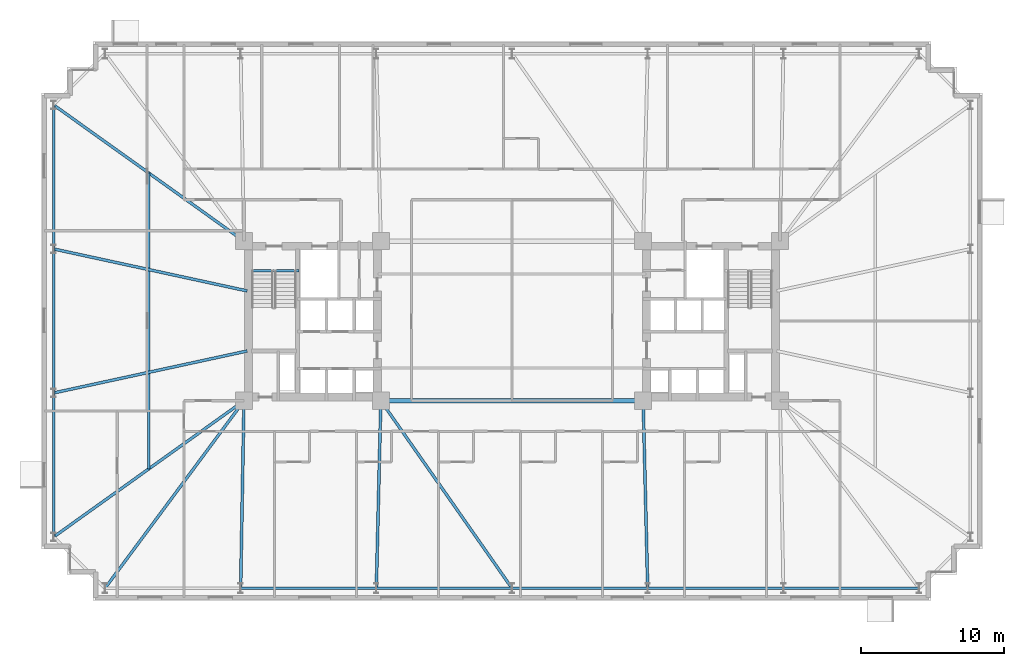
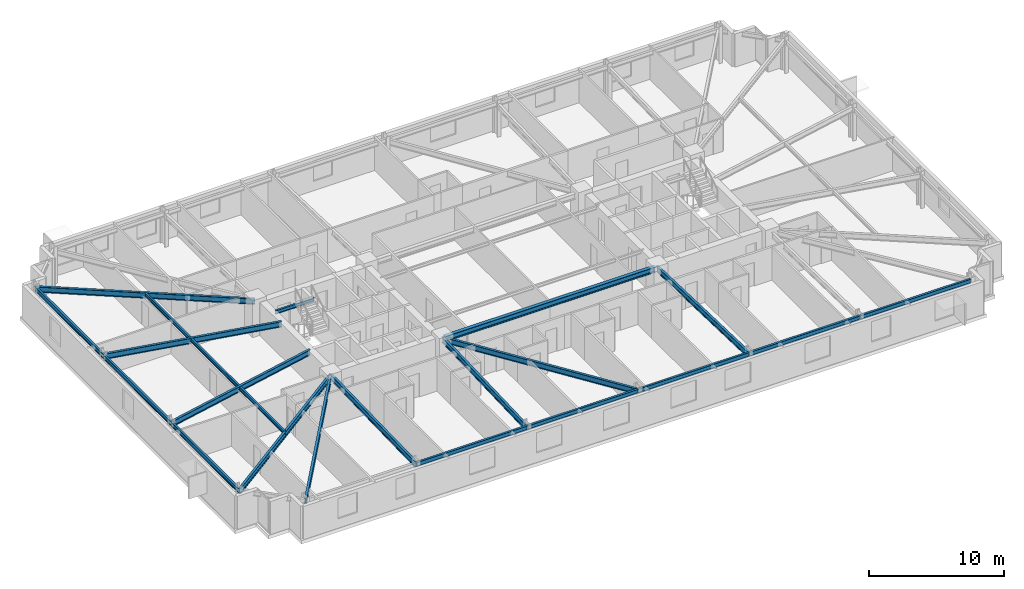
# One storey, part 5 of 20: 20 beams.
"""IFC4 building model written with IfcOpenShell, lengths in metres."""

from ifc_helpers import new_model, si_unit, direction, frame, origin, origin_2d, place, context, subcontext, project, spatial, i_section, extrude, material, material_profile, profile_set, type_object, element, save


model = new_model("IFC4")

# Units and contexts
model_context = context("Model", 3, precision=1e-05, world=origin(), true_north=direction((0.0, 1.0)))
body_context = subcontext(model_context, "Body", "Model", "MODEL_VIEW")
ifc_project = project(units=[si_unit("LENGTHUNIT", "METRE"), si_unit("AREAUNIT", "SQUARE_METRE"), si_unit("VOLUMEUNIT", "CUBIC_METRE"), si_unit("PLANEANGLEUNIT", "RADIAN"), si_unit("MASSUNIT", "GRAM", prefix="KILO")], contexts=[model_context])

# Site, building, storey
site_placement = place(None, origin())
site = spatial("IfcSite", under=ifc_project, at=site_placement, CompositionType="ELEMENT")
building_placement = place(site_placement, origin())
building = spatial("IfcBuilding", under=site, at=building_placement, Name="Qobustan Lattice House", CompositionType="ELEMENT")
storey_placement = place(building_placement, frame((0.0, 0.0, 70.550048828125)))
storey = spatial("IfcBuildingStorey", under=building, at=storey_placement, Name="L19", CompositionType="ELEMENT", Elevation=70.550048828125)

# Beams
ifc_material_1 = material(Name="Steel S355", Category="steel")
ifc_material_profile_1 = material_profile(ifc_material_1, i_section(OverallWidth=0.300048828125, OverallDepth=0.5, WebThickness=0.014404296875, FlangeThickness=0.028076171875, FilletRadius=0.027099609375, at=origin_2d()), Name="HEB500")
ifc_profile_set_1 = profile_set([ifc_material_profile_1], Name="Steel S355")
beam_type_1 = type_object("IfcBeamType", Name="BM-CG-HEB500", PredefinedType="USERDEFINED", material=ifc_profile_set_1)
beam_1_placement = place(storey_placement, frame((-9.050048828125, -5.60009765625, 2.75), z_axis=(1.0, 0.0, 0.0), x_axis=(0.0, 1.0, 0.0)))
element("IfcBeam", 1, at=beam_1_placement, inside=storey, type_object=beam_type_1, Name="L19 core spine girder CG-CS", ObjectType="GIRDER", PredefinedType="USERDEFINED", context=body_context, shape_type="SweptSolid", body=[
    extrude(i_section(OverallWidth=0.300048828125, OverallDepth=0.5, WebThickness=0.014404296875, FlangeThickness=0.028076171875, FilletRadius=0.027099609375, at=origin_2d()), origin(), (0.0, 0.0, 1.0), 18.10009765625),
])
ifc_material_2 = material(Name="Steel S355", Category="steel")
ifc_material_profile_2 = material_profile(ifc_material_2, i_section(OverallWidth=0.199951171875, OverallDepth=0.5, WebThickness=0.01025390625, FlangeThickness=0.01611328125, FilletRadius=0.02099609375, at=origin_2d()), Name="IPE500")
ifc_profile_set_2 = profile_set([ifc_material_profile_2], Name="Steel S355")
beam_type_2 = type_object("IfcBeamType", Name="BM-FLG-IPE500", PredefinedType="USERDEFINED", material=ifc_profile_set_2)
beam_2_placement = place(storey_placement, frame((-28.53515625, -18.72998046875, 2.75), z_axis=(0.5955916815, 0.803287338956, 0.0), x_axis=(-0.803287338956, 0.5955916815, 0.0)))
element("IfcBeam", 2, at=beam_2_placement, inside=storey, type_object=beam_type_2, Name="L19 primary floor girder RAD-S1W", ObjectType="GIRDER", PredefinedType="USERDEFINED", context=body_context, shape_type="SweptSolid", body=[
    extrude(i_section(OverallWidth=0.199951171875, OverallDepth=0.5, WebThickness=0.01025390625, FlangeThickness=0.01611328125, FilletRadius=0.02099609375, at=origin_2d()), origin(), (0.0, 0.0, 1.0), 16.3203125),
])
beam_3_placement = place(storey_placement, frame((-19.032958984375, -18.72509765625, 2.75), z_axis=(0.017757831607, 0.999842317276, 0.0), x_axis=(-0.999842317276, 0.017757831607, 0.0)))
element("IfcBeam", 3, at=beam_3_placement, inside=storey, type_object=beam_type_2, Name="L19 primary floor girder RAD-S2", ObjectType="GIRDER", PredefinedType="USERDEFINED", context=body_context, shape_type="SweptSolid", body=[
    extrude(i_section(OverallWidth=0.199951171875, OverallDepth=0.5, WebThickness=0.01025390625, FlangeThickness=0.01611328125, FilletRadius=0.02099609375, at=origin_2d()), origin(), (0.0, 0.0, 1.0), 13.10205078125),
])
beam_4_placement = place(storey_placement, frame((-9.51611328125, -18.72509765625, 2.75), z_axis=(0.024071445657, 0.999710240772, 0.0), x_axis=(-0.999710240772, 0.024071445657, 0.0)))
element("IfcBeam", 4, at=beam_4_placement, inside=storey, type_object=beam_type_2, Name="L19 primary floor girder RAD-S3", ObjectType="GIRDER", PredefinedType="USERDEFINED", context=body_context, shape_type="SweptSolid", body=[
    extrude(i_section(OverallWidth=0.199951171875, OverallDepth=0.5, WebThickness=0.01025390625, FlangeThickness=0.01611328125, FilletRadius=0.02099609375, at=origin_2d()), origin(), (0.0, 0.0, 1.0), 13.10400390625),
])
beam_5_placement = place(storey_placement, frame((-0.014404296875, -18.7294921875, 2.75), z_axis=(-0.57325954206, 0.819373844736, 0.0), x_axis=(-0.819373844736, -0.57325954206, 0.0)))
element("IfcBeam", 5, at=beam_5_placement, inside=storey, type_object=beam_type_2, Name="L19 primary floor girder RAD-S4", ObjectType="GIRDER", PredefinedType="USERDEFINED", context=body_context, shape_type="SweptSolid", body=[
    extrude(i_section(OverallWidth=0.199951171875, OverallDepth=0.5, WebThickness=0.01025390625, FlangeThickness=0.01611328125, FilletRadius=0.02099609375, at=origin_2d()), origin(), (0.0, 0.0, 1.0), 15.998779296875),
])
beam_6_placement = place(storey_placement, frame((9.51611328125, -18.72509765625, 2.75), z_axis=(-0.024071445657, 0.999710240772, 0.0), x_axis=(-0.999710240772, -0.024071445657, 0.0)))
element("IfcBeam", 6, at=beam_6_placement, inside=storey, type_object=beam_type_2, Name="L19 primary floor girder RAD-S5", ObjectType="GIRDER", PredefinedType="USERDEFINED", context=body_context, shape_type="SweptSolid", body=[
    extrude(i_section(OverallWidth=0.199951171875, OverallDepth=0.5, WebThickness=0.01025390625, FlangeThickness=0.01611328125, FilletRadius=0.02099609375, at=origin_2d()), origin(), (0.0, 0.0, 1.0), 13.10400390625),
])
beam_7_placement = place(storey_placement, frame((-32.129638671875, 15.135498046875, 2.75), z_axis=(0.813318954893, -0.581818079481, 0.0), x_axis=(0.581818079481, 0.813318954893, 0.0)))
element("IfcBeam", 7, at=beam_7_placement, inside=storey, type_object=beam_type_2, Name="L19 primary floor girder RAD-W1", ObjectType="GIRDER", PredefinedType="USERDEFINED", context=body_context, shape_type="SweptSolid", body=[
    extrude(i_section(OverallWidth=0.199951171875, OverallDepth=0.5, WebThickness=0.01025390625, FlangeThickness=0.01611328125, FilletRadius=0.02099609375, at=origin_2d()), origin(), (0.0, 0.0, 1.0), 16.3642578125),
])
for number, where, z_axis, x_axis, name in (
    (8, (-32.12548828125, 5.044677734375, 2.75), (0.97727240275, -0.211987383643, 0.0), (0.211987383643, 0.97727240275, 0.0), "L19 primary floor girder RAD-W2"),
    (9, (-32.12548828125, -5.044677734375, 2.75), (0.97727240275, 0.211987383643, 0.0), (-0.211987383643, 0.97727240275, 0.0), "L19 primary floor girder RAD-W3"),
):
    element("IfcBeam", number, at=place(storey_placement, frame(where, z_axis=z_axis, x_axis=x_axis)), inside=storey, type_object=beam_type_2, Name=name, ObjectType="GIRDER", PredefinedType="USERDEFINED", context=body_context, shape_type="SweptSolid", body=[
        extrude(i_section(OverallWidth=0.199951171875, OverallDepth=0.5, WebThickness=0.01025390625, FlangeThickness=0.01611328125, FilletRadius=0.02099609375, at=origin_2d()), origin(), (0.0, 0.0, 1.0), 13.8662109375),
    ])
beam_8_placement = place(storey_placement, frame((-32.129638671875, -15.135498046875, 2.75), z_axis=(0.813318954893, 0.581818079481, 0.0), x_axis=(-0.581818079481, 0.813318954893, 0.0)))
element("IfcBeam", 10, at=beam_8_placement, inside=storey, type_object=beam_type_2, Name="L19 primary floor girder RAD-W4", ObjectType="GIRDER", PredefinedType="USERDEFINED", context=body_context, shape_type="SweptSolid", body=[
    extrude(i_section(OverallWidth=0.199951171875, OverallDepth=0.5, WebThickness=0.01025390625, FlangeThickness=0.01611328125, FilletRadius=0.02099609375, at=origin_2d()), origin(), (0.0, 0.0, 1.0), 16.3642578125),
])
ifc_material_3 = material(Name="Steel S355", Category="steel")
ifc_material_profile_3 = material_profile(ifc_material_3, i_section(OverallWidth=0.159912109375, OverallDepth=0.330078125, WebThickness=0.007568359375, FlangeThickness=0.011474609375, FilletRadius=0.01806640625, at=origin_2d()), Name="IPE330")
ifc_profile_set_3 = profile_set([ifc_material_profile_3], Name="Steel S355")
beam_type_3 = type_object("IfcBeamType", Name="BM-SEC-IPE330", PredefinedType="BEAM", material=ifc_profile_set_3)
beam_9_placement = place(storey_placement, frame((-25.47509765625, 10.375, 2.8349609375), z_axis=(0.0, -1.0, 0.0), x_axis=(1.0, 0.0, 0.0)))
element("IfcBeam", 11, at=beam_9_placement, inside=storey, type_object=beam_type_3, Name="L19 west wing secondary beam", PredefinedType="BEAM", context=body_context, shape_type="SweptSolid", body=[
    extrude(i_section(OverallWidth=0.159912109375, OverallDepth=0.330078125, WebThickness=0.007568359375, FlangeThickness=0.011474609375, FilletRadius=0.01806640625, at=origin_2d()), origin(), (0.0, 0.0, 1.0), 20.75),
])
ifc_material_4 = material(Name="Steel S355", Category="steel")
ifc_material_profile_4 = material_profile(ifc_material_4, i_section(OverallWidth=0.159912109375, OverallDepth=0.330078125, WebThickness=0.007568359375, FlangeThickness=0.011474609375, FilletRadius=0.01806640625, at=origin_2d()), Name="IPE330")
ifc_profile_set_4 = profile_set([ifc_material_profile_4], Name="Steel S355")
beam_type_4 = type_object("IfcBeamType", Name="BM-SPD-IPE330", PredefinedType="SPANDREL", material=ifc_profile_set_4)
beam_10_placement = place(storey_placement, frame((-18.300048828125, 3.52001953125, 2.8349609375), z_axis=(1.0, 0.0, 0.0), x_axis=(0.0, 1.0, 0.0)))
element("IfcBeam", 12, at=beam_10_placement, inside=storey, type_object=beam_type_4, Name="L19 west stair landing trimmer beam", PredefinedType="SPANDREL", context=body_context, shape_type="SweptSolid", body=[
    extrude(i_section(OverallWidth=0.159912109375, OverallDepth=0.330078125, WebThickness=0.007568359375, FlangeThickness=0.011474609375, FilletRadius=0.01806640625, at=origin_2d()), origin(), (0.0, 0.0, 1.0), 3.35009765625),
])
ifc_material_5 = material(Name="Steel S355", Category="steel")
ifc_material_profile_5 = material_profile(ifc_material_5, i_section(OverallWidth=0.179931640625, OverallDepth=0.39990234375, WebThickness=0.008544921875, FlangeThickness=0.013427734375, FilletRadius=0.02099609375, at=origin_2d()), Name="IPE400")
ifc_profile_set_5 = profile_set([ifc_material_profile_5], Name="Steel S355")
beam_type_5 = type_object("IfcBeamType", Name="BM-SPD-IPE400", PredefinedType="SPANDREL", material=ifc_profile_set_5)
beam_11_placement = place(storey_placement, frame((-19.00830078125, -18.75, 2.800048828125), z_axis=(1.0, 0.0, 0.0), x_axis=(0.0, 1.0, 0.0)))
element("IfcBeam", 13, at=beam_11_placement, inside=storey, type_object=beam_type_5, Name="L19 perimeter spandrel S2-S3", PredefinedType="SPANDREL", context=body_context, shape_type="SweptSolid", body=[
    extrude(i_section(OverallWidth=0.179931640625, OverallDepth=0.39990234375, WebThickness=0.008544921875, FlangeThickness=0.013427734375, FilletRadius=0.02099609375, at=origin_2d()), origin(), (0.0, 0.0, 1.0), 9.466552734375),
])
for number, where, z_axis, x_axis, name in (
    (14, (-9.49169921875, -18.75, 2.800048828125), (1.0, 0.0, 0.0), (0.0, 1.0, 0.0), "L19 perimeter spandrel S3-S4"),
    (15, (0.02490234375, -18.75, 2.800048828125), (1.0, 0.0, 0.0), (0.0, 1.0, 0.0), "L19 perimeter spandrel S4-S5"),
):
    element("IfcBeam", number, at=place(storey_placement, frame(where, z_axis=z_axis, x_axis=x_axis)), inside=storey, type_object=beam_type_5, Name=name, PredefinedType="SPANDREL", context=body_context, shape_type="SweptSolid", body=[
        extrude(i_section(OverallWidth=0.179931640625, OverallDepth=0.39990234375, WebThickness=0.008544921875, FlangeThickness=0.013427734375, FilletRadius=0.02099609375, at=origin_2d()), origin(), (0.0, 0.0, 1.0), 9.466796875),
    ])
for number, where, z_axis, x_axis, name in (
    (16, (9.541748046875, -18.75, 2.800048828125), (1.0, 0.0, 0.0), (0.0, 1.0, 0.0), "L19 perimeter spandrel S5-S6"),
    (17, (19.058349609375, -18.75, 2.800048828125), (1.0, 0.0, 0.0), (0.0, 1.0, 0.0), "L19 perimeter spandrel S6-S7"),
):
    element("IfcBeam", number, at=place(storey_placement, frame(where, z_axis=z_axis, x_axis=x_axis)), inside=storey, type_object=beam_type_5, Name=name, PredefinedType="SPANDREL", context=body_context, shape_type="SweptSolid", body=[
        extrude(i_section(OverallWidth=0.179931640625, OverallDepth=0.39990234375, WebThickness=0.008544921875, FlangeThickness=0.013427734375, FilletRadius=0.02099609375, at=origin_2d()), origin(), (0.0, 0.0, 1.0), 9.466552734375),
    ])
beam_12_placement = place(storey_placement, frame((-32.14990234375, 15.125, 2.800048828125), z_axis=(0.0, -1.0, 0.0), x_axis=(1.0, 0.0, 0.0)))
element("IfcBeam", 18, at=beam_12_placement, inside=storey, type_object=beam_type_5, Name="L19 perimeter spandrel W1-W2", PredefinedType="SPANDREL", context=body_context, shape_type="SweptSolid", body=[
    extrude(i_section(OverallWidth=0.179931640625, OverallDepth=0.39990234375, WebThickness=0.008544921875, FlangeThickness=0.013427734375, FilletRadius=0.02099609375, at=origin_2d()), origin(), (0.0, 0.0, 1.0), 10.050048828125),
])
beam_13_placement = place(storey_placement, frame((-32.14990234375, 5.02490234375, 2.800048828125), z_axis=(0.0, -1.0, 0.0), x_axis=(1.0, 0.0, 0.0)))
element("IfcBeam", 19, at=beam_13_placement, inside=storey, type_object=beam_type_5, Name="L19 perimeter spandrel W2-W3", PredefinedType="SPANDREL", context=body_context, shape_type="SweptSolid", body=[
    extrude(i_section(OverallWidth=0.179931640625, OverallDepth=0.39990234375, WebThickness=0.008544921875, FlangeThickness=0.013427734375, FilletRadius=0.02099609375, at=origin_2d()), origin(), (0.0, 0.0, 1.0), 10.0498046875),
])
beam_14_placement = place(storey_placement, frame((-32.14990234375, -5.074951171875, 2.800048828125), z_axis=(0.0, -1.0, 0.0), x_axis=(1.0, 0.0, 0.0)))
element("IfcBeam", 20, at=beam_14_placement, inside=storey, type_object=beam_type_5, Name="L19 perimeter spandrel W3-W4", PredefinedType="SPANDREL", context=body_context, shape_type="SweptSolid", body=[
    extrude(i_section(OverallWidth=0.179931640625, OverallDepth=0.39990234375, WebThickness=0.008544921875, FlangeThickness=0.013427734375, FilletRadius=0.02099609375, at=origin_2d()), origin(), (0.0, 0.0, 1.0), 10.050048828125),
])

save(model, "model.ifc")
